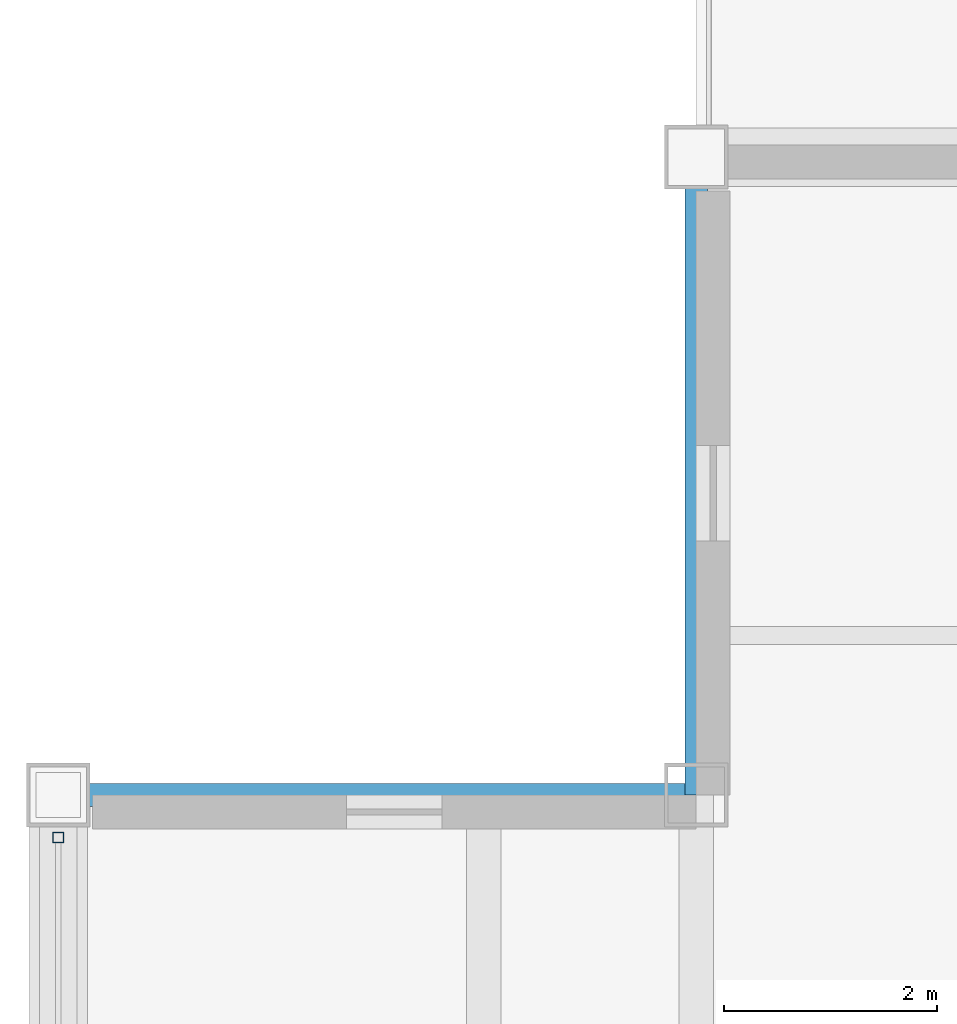
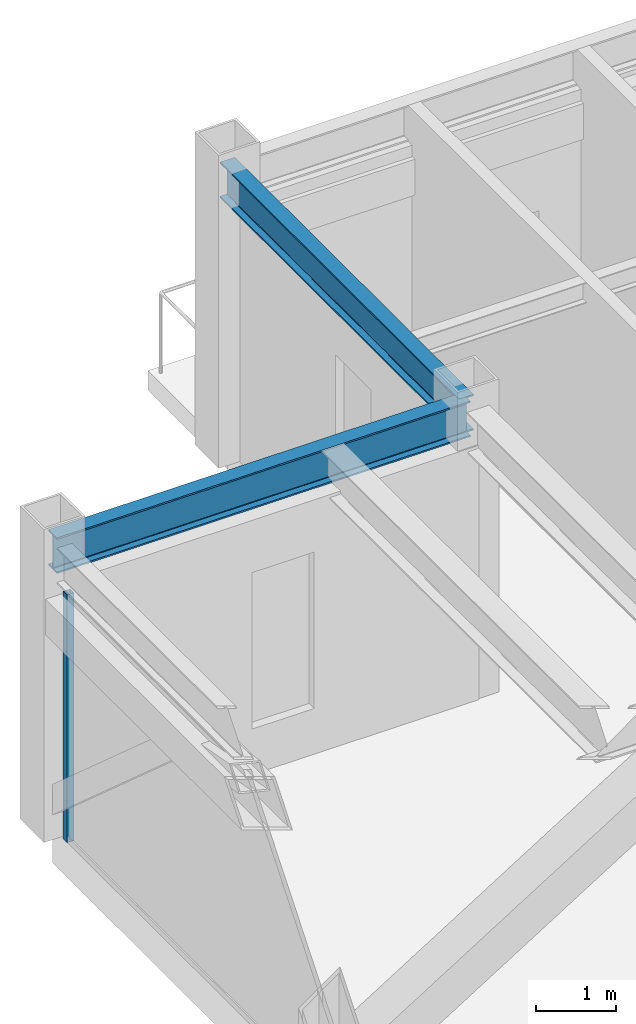
# One storey, part 14 of 32: 2 beams, 1 member, 1 element without a shape of its own.
"""IFC4 building model written with IfcOpenShell, lengths in metres."""

from ifc_helpers import new_model, si_unit, direction, frame, origin, origin_2d, place, context, subcontext, project, spatial, hollow_rectangle, i_section, extrude, source, transform, mapped, material, material_profile, profile_set, type_object, element, aggregate, save


model = new_model("IFC4")

# Units and contexts
model_context = context("Model", 3, precision=1e-05, world=origin(), true_north=direction((0.0, 1.0)))
body_context = subcontext(model_context, "Body", "Model", "MODEL_VIEW")
ifc_project = project(units=[si_unit("LENGTHUNIT", "METRE"), si_unit("AREAUNIT", "SQUARE_METRE"), si_unit("VOLUMEUNIT", "CUBIC_METRE"), si_unit("PLANEANGLEUNIT", "RADIAN"), si_unit("MASSUNIT", "GRAM", prefix="KILO")], contexts=[model_context])

# Site, building, storey
site_placement = place(None, origin())
site = spatial("IfcSite", under=ifc_project, at=site_placement, CompositionType="ELEMENT")
building_placement = place(site_placement, origin())
building = spatial("IfcBuilding", under=site, at=building_placement, Name="Khorayat Bourse Tower", CompositionType="ELEMENT")
storey_placement = place(building_placement, frame((0.0, 0.0, 375.5)))
storey = spatial("IfcBuildingStorey", under=building, at=storey_placement, Name="L89", CompositionType="ELEMENT", Elevation=375.5)

# Beams
ifc_material_1 = material(Name="Steel ASTM A992 Grade 50", Category="steel")
ifc_material_profile_1 = material_profile(ifc_material_1, i_section(OverallWidth=0.214111328125, OverallDepth=0.549072265625, WebThickness=0.0146484375, FlangeThickness=0.023681640625, FilletRadius=0.013916015625, at=origin_2d()), Name="W530X138")
ifc_profile_set_1 = profile_set([ifc_material_profile_1], Name="Steel ASTM A992 Grade 50")
beam_type = type_object("IfcBeamType", Name="BM-SPAN-530", PredefinedType="SPANDREL", material=ifc_profile_set_1)
shared_shape_1 = source(origin(), body_context, "Body", "SweptSolid", [
    extrude(i_section(OverallWidth=0.214111328125, OverallDepth=0.549072265625, WebThickness=0.0146484375, FlangeThickness=0.023681640625, FilletRadius=0.013916015625, at=origin_2d()), origin(), (0.0, 0.0, 1.0), 6.0),
])
for number, where, z_axis, x_axis, name in (
    (1, (-18.0, 18.0, 4.175537109375), (0.0, 1.0, 0.0), (-1.0, 0.0, 0.0), "L89 BM-SPAN-530 BM-L89-SPN-046"),
    (2, (-24.0, 18.0, 4.175537109375), (1.0, 0.0, 0.0), (0.0, 1.0, 0.0), "L89 BM-SPAN-530 BM-L89-SPN-047"),
):
    element("IfcBeam", number, at=place(storey_placement, frame(where, z_axis=z_axis, x_axis=x_axis)), inside=storey, type_object=beam_type, Name=name, PredefinedType="SPANDREL", context=body_context, shape_type="MappedRepresentation", body=[
        mapped(shared_shape_1, transform((0.0, 0.0, 0.0), scale=1.0)),
    ])

# Curtain wall, member
ifc_material_2 = material(Name="Aluminium EN AW-6063 T6", Category="aluminium")
curtain_wall_type = type_object("IfcCurtainWallType", Name="CW-SYS-07", PredefinedType="NOTDEFINED", material=ifc_material_2)
curtain_wall_placement = place(storey_placement, origin())
curtain_wall = element("IfcCurtainWall", 3, at=curtain_wall_placement, inside=storey, type_object=curtain_wall_type, Name="L89 Curtain Wall CW-L89-W1", PredefinedType="NOTDEFINED")
ifc_material_profile_2 = material_profile(ifc_material_2, hollow_rectangle(XDim=0.10009765625, YDim=0.10009765625, WallThickness=0.0048828125, at=origin_2d()), Name="ALU 100x100x5")
ifc_profile_set_2 = profile_set([ifc_material_profile_2], Name="Aluminium EN AW-6063 T6")
member_type = type_object("IfcMemberType", Name="CWM-LANTERN-100", PredefinedType="MULLION", material=ifc_profile_set_2)
shared_shape_2 = source(origin(), body_context, "Body", "SweptSolid", [
    extrude(hollow_rectangle(XDim=0.10009765625, YDim=0.10009765625, WallThickness=0.0048828125, at=origin_2d()), origin(), (0.0, 0.0, 1.0), 3.800048828125),
])
member_placement = place(storey_placement, frame((-24.0, 17.60009765625, 0.0), z_axis=(0.0, 0.0, 1.0), x_axis=(-1.0, 0.0, 0.0)))
member = element("IfcMember", 4, at=member_placement, type_object=member_type, Name="CW-L89-W1 Vertical Mullion 3", PredefinedType="MULLION", context=body_context, shape_type="MappedRepresentation", body=[
    mapped(shared_shape_2, transform((0.0, 0.0, 0.0), scale=1.0)),
])
aggregate(curtain_wall, [member])

save(model, "model.ifc")
